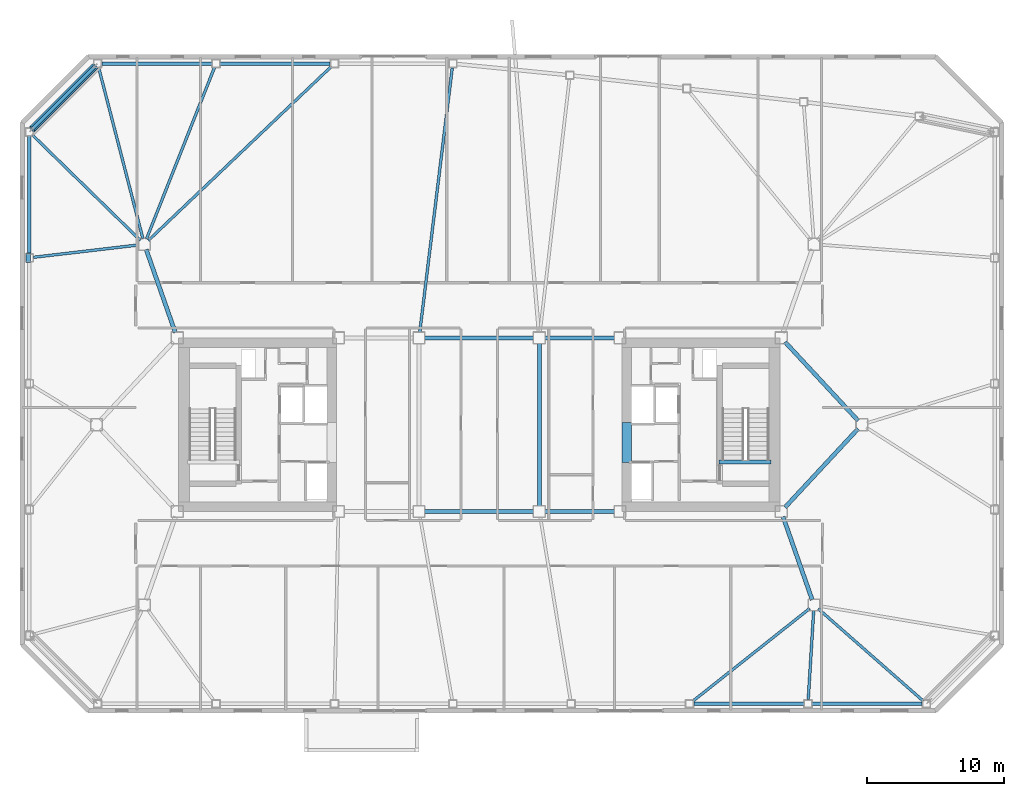
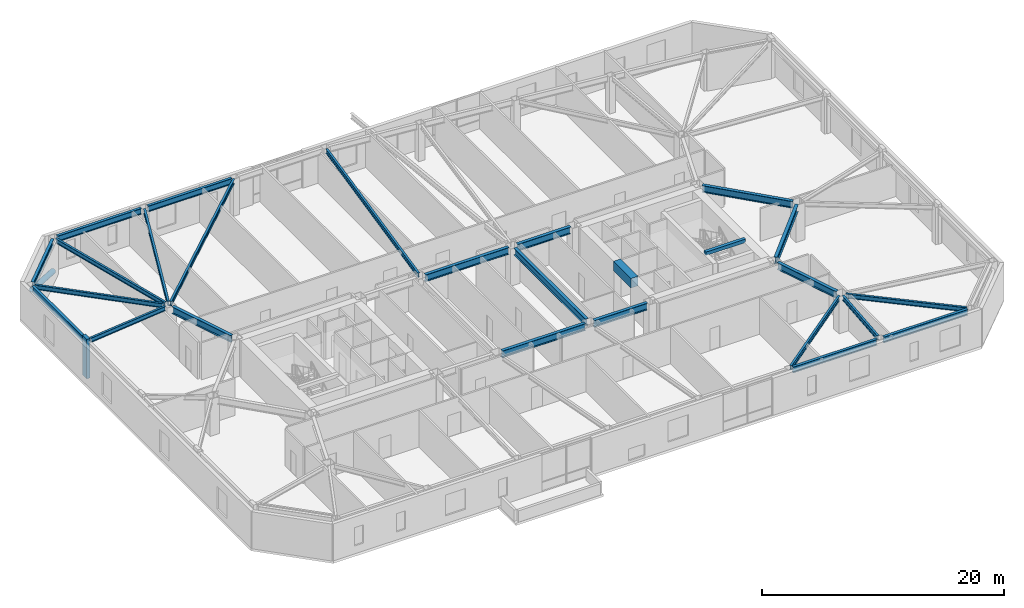
# One storey, part 5 of 18: 26 beams, 2 members.
"""IFC4 building model written with IfcOpenShell, lengths in metres."""

from ifc_helpers import new_model, si_unit, direction, frame, origin, origin_2d, place, context, subcontext, project, spatial, rectangle, hollow_circle, i_section, extrude, material, material_profile, profile_set, type_object, element, save


model = new_model("IFC4")

# Units and contexts
model_context = context("Model", 3, precision=1e-05, world=origin(), true_north=direction((0.0, 1.0)))
body_context = subcontext(model_context, "Body", "Model", "MODEL_VIEW")
ifc_project = project(units=[si_unit("LENGTHUNIT", "METRE"), si_unit("AREAUNIT", "SQUARE_METRE"), si_unit("VOLUMEUNIT", "CUBIC_METRE"), si_unit("PLANEANGLEUNIT", "RADIAN"), si_unit("MASSUNIT", "GRAM", prefix="KILO")], contexts=[model_context])

# Site, building, storey
site_placement = place(None, origin())
site = spatial("IfcSite", under=ifc_project, at=site_placement, CompositionType="ELEMENT")
building_placement = place(site_placement, origin())
building = spatial("IfcBuilding", under=site, at=building_placement, Name="Tavrogorsk Clinical Tower", CompositionType="ELEMENT")
storey_placement = place(building_placement, frame((0.0, 0.0, 168.199951171875)))
storey = spatial("IfcBuildingStorey", under=building, at=storey_placement, Name="L38", CompositionType="ELEMENT", Elevation=168.199951171875)

# Beam
ifc_material_1 = material(Name="Concrete B80", Category="concrete")
ifc_material_profile_1 = material_profile(ifc_material_1, rectangle(XDim=0.699951171875, YDim=0.949951171875, at=origin_2d()), Name="RC-CB-700x950")
ifc_profile_set_1 = profile_set([ifc_material_profile_1], Name="Concrete B80")
beam_type_1 = type_object("IfcBeamType", Name="CouplingBeam_RC700x950", PredefinedType="LINTEL", material=ifc_profile_set_1)
beam_1_placement = place(storey_placement, frame((10.800048828125, -2.75, 3.26513671875), z_axis=(0.0, 1.0, 0.0), x_axis=(-1.0, 0.0, 0.0)))
element("IfcBeam", 1, at=beam_1_placement, inside=storey, type_object=beam_type_1, Name="L38 Core East Coupling Beam", PredefinedType="LINTEL", context=body_context, shape_type="SweptSolid", body=[
    extrude(rectangle(XDim=0.699951171875, YDim=0.949951171875, at=origin_2d()), origin(), (0.0, 0.0, 1.0), 2.89990234375),
])

# Member
ifc_material_2 = material(Name="Structural steel S440", Category="steel")
ifc_material_profile_2 = material_profile(ifc_material_2, hollow_circle(Radius=0.25390625, WallThickness=0.02001953125, at=origin_2d()), Name="CHS-508x20")
ifc_profile_set_2 = profile_set([ifc_material_profile_2], Name="Structural steel S440")
member_type_1 = type_object("IfcMemberType", Name="ExoBrace_CHS508", PredefinedType="BRACE", material=ifc_profile_set_2)
member_1_placement = place(storey_placement, frame((-28.12255859375, 26.217529296875, 0.4130859375), z_axis=(-0.657758524103, -0.657758524103, 0.367025132572), x_axis=(0.707106781187, -0.707106781187, 0.0)))
element("IfcMember", 2, at=member_1_placement, inside=storey, type_object=member_type_1, Name="L38 Corner Exoskeleton Brace N8-W1", PredefinedType="BRACE", context=body_context, shape_type="SweptSolid", body=[
    extrude(hollow_circle(Radius=0.25390625, WallThickness=0.02001953125, at=origin_2d()), origin(), (0.0, 0.0, 1.0), 6.98583984375),
])

# Beams
ifc_material_3 = material(Name="Structural steel S355", Category="steel")
ifc_material_profile_3 = material_profile(ifc_material_3, i_section(OverallWidth=0.199951171875, OverallDepth=0.449951171875, WebThickness=0.011474609375, FlangeThickness=0.01806640625, at=origin_2d()), Name="B-450x200x11.5x18")
ifc_profile_set_3 = profile_set([ifc_material_profile_3], Name="Structural steel S355")
beam_type_2 = type_object("IfcBeamType", Name="FloorBeam_B450", PredefinedType="BEAM", material=ifc_profile_set_3)
beam_2_placement = place(storey_placement, frame((24.1787109375, -13.454833984375, 3.51513671875), z_axis=(-0.783566094727, -0.621308438052, 0.0), x_axis=(0.621308438052, -0.783566094727, 0.0)))
element("IfcBeam", 3, at=beam_2_placement, inside=storey, type_object=beam_type_2, Name="L38 Radial Floor Beam S6", PredefinedType="BEAM", context=body_context, shape_type="SweptSolid", body=[
    extrude(i_section(OverallWidth=0.199951171875, OverallDepth=0.449951171875, WebThickness=0.011474609375, FlangeThickness=0.01806640625, at=origin_2d()), origin(), (0.0, 0.0, 1.0), 10.902587890625),
])
beam_3_placement = place(storey_placement, frame((24.474853515625, -13.609130859375, 3.51513671875), z_axis=(-0.061225862048, -0.998123937102, 0.0), x_axis=(0.998123937102, -0.061225862048, 0.0)))
element("IfcBeam", 4, at=beam_3_placement, inside=storey, type_object=beam_type_2, Name="L38 Radial Floor Beam S7", PredefinedType="BEAM", context=body_context, shape_type="SweptSolid", body=[
    extrude(i_section(OverallWidth=0.199951171875, OverallDepth=0.449951171875, WebThickness=0.011474609375, FlangeThickness=0.01806640625, at=origin_2d()), origin(), (0.0, 0.0, 1.0), 6.515625),
])
beam_4_placement = place(storey_placement, frame((24.80810546875, -13.470458984375, 3.51513671875), z_axis=(0.751316315352, -0.659942265874, 0.0), x_axis=(0.659942265874, 0.751316315352, 0.0)))
element("IfcBeam", 5, at=beam_4_placement, inside=storey, type_object=beam_type_2, Name="L38 Radial Floor Beam S8", PredefinedType="BEAM", context=body_context, shape_type="SweptSolid", body=[
    extrude(i_section(OverallWidth=0.199951171875, OverallDepth=0.449951171875, WebThickness=0.011474609375, FlangeThickness=0.01806640625, at=origin_2d()), origin(), (0.0, 0.0, 1.0), 10.22265625),
])
beam_5_placement = place(storey_placement, frame((-4.349853515625, 6.7568359375, 3.51513671875), z_axis=(0.122074764034, 0.992520907581, 0.0), x_axis=(-0.992520907581, 0.122074764034, 0.0)))
element("IfcBeam", 6, at=beam_5_placement, inside=storey, type_object=beam_type_2, Name="L38 Radial Floor Beam N5", PredefinedType="BEAM", context=body_context, shape_type="SweptSolid", body=[
    extrude(i_section(OverallWidth=0.199951171875, OverallDepth=0.449951171875, WebThickness=0.011474609375, FlangeThickness=0.01806640625, at=origin_2d()), origin(), (0.0, 0.0, 1.0), 19.503173828125),
])
beam_6_placement = place(storey_placement, frame((-24.202880859375, 13.482421875, 3.51513671875), z_axis=(0.724746572965, 0.689015533189, 0.0), x_axis=(-0.689015533189, 0.724746572965, 0.0)))
element("IfcBeam", 7, at=beam_6_placement, inside=storey, type_object=beam_type_2, Name="L38 Radial Floor Beam N6", PredefinedType="BEAM", context=body_context, shape_type="SweptSolid", body=[
    extrude(i_section(OverallWidth=0.199951171875, OverallDepth=0.449951171875, WebThickness=0.011474609375, FlangeThickness=0.01806640625, at=origin_2d()), origin(), (0.0, 0.0, 1.0), 18.468994140625),
])
beam_7_placement = place(storey_placement, frame((-24.348876953125, 13.5810546875, 3.51513671875), z_axis=(0.368655349184, 0.929566153384, 0.0), x_axis=(-0.929566153384, 0.368655349184, 0.0)))
element("IfcBeam", 8, at=beam_7_placement, inside=storey, type_object=beam_type_2, Name="L38 Radial Floor Beam N7", PredefinedType="BEAM", context=body_context, shape_type="SweptSolid", body=[
    extrude(i_section(OverallWidth=0.199951171875, OverallDepth=0.449951171875, WebThickness=0.011474609375, FlangeThickness=0.01806640625, at=origin_2d()), origin(), (0.0, 0.0, 1.0), 13.50390625),
])
beam_8_placement = place(storey_placement, frame((-24.602783203125, 13.596923828125, 3.51513671875), z_axis=(-0.25044015559, 0.96813208214, 0.0), x_axis=(-0.96813208214, -0.25044015559, 0.0)))
element("IfcBeam", 9, at=beam_8_placement, inside=storey, type_object=beam_type_2, Name="L38 Radial Floor Beam N8", PredefinedType="BEAM", context=body_context, shape_type="SweptSolid", body=[
    extrude(i_section(OverallWidth=0.199951171875, OverallDepth=0.449951171875, WebThickness=0.011474609375, FlangeThickness=0.01806640625, at=origin_2d()), origin(), (0.0, 0.0, 1.0), 12.937255859375),
])
beam_9_placement = place(storey_placement, frame((-24.79345703125, 13.486328125, 3.51513671875), z_axis=(-0.715551590144, 0.698559891378, 0.0), x_axis=(-0.698559891378, -0.715551590144, 0.0)))
element("IfcBeam", 10, at=beam_9_placement, inside=storey, type_object=beam_type_2, Name="L38 Radial Floor Beam W1", PredefinedType="BEAM", context=body_context, shape_type="SweptSolid", body=[
    extrude(i_section(OverallWidth=0.199951171875, OverallDepth=0.449951171875, WebThickness=0.011474609375, FlangeThickness=0.01806640625, at=origin_2d()), origin(), (0.0, 0.0, 1.0), 11.049072265625),
])
beam_10_placement = place(storey_placement, frame((-24.9072265625, 13.152099609375, 3.51513671875), z_axis=(-0.993157045518, -0.116786484397, 0.0), x_axis=(0.116786484397, -0.993157045518, 0.0)))
element("IfcBeam", 11, at=beam_10_placement, inside=storey, type_object=beam_type_2, Name="L38 Radial Floor Beam W2", PredefinedType="BEAM", context=body_context, shape_type="SweptSolid", body=[
    extrude(i_section(OverallWidth=0.199951171875, OverallDepth=0.449951171875, WebThickness=0.011474609375, FlangeThickness=0.01806640625, at=origin_2d()), origin(), (0.0, 0.0, 1.0), 7.759765625),
])

# Member
ifc_material_4 = material(Name="Precast concrete B45 with limestone cladding", Category="masonry")
ifc_material_profile_4 = material_profile(ifc_material_4, rectangle(XDim=0.320068359375, YDim=0.719970703125, at=origin_2d()), Name="LIMESTONE-FIN-320x720")
ifc_profile_set_4 = profile_set([ifc_material_profile_4], Name="Precast concrete B45 with limestone cladding")
member_type_2 = type_object("IfcMemberType", Name="LimestonePleatFin_320x720", PredefinedType="USERDEFINED", material=ifc_profile_set_4)
member_2_placement = place(storey_placement, frame((-33.0, 12.2099609375, 0.0), z_axis=(0.0, 0.0, 1.0), x_axis=(1.0, 0.0, 0.0)))
element("IfcMember", 12, at=member_2_placement, inside=storey, type_object=member_type_2, Name="L38 W Pleated Stone Fin 1", ObjectType="FIN", PredefinedType="USERDEFINED", context=body_context, shape_type="SweptSolid", body=[
    extrude(rectangle(XDim=0.320068359375, YDim=0.719970703125, at=origin_2d()), origin(), (0.0, 0.0, 1.0), 4.0),
])

# Beams
ifc_material_5 = material(Name="Structural steel S390", Category="steel")
ifc_material_profile_5 = material_profile(ifc_material_5, i_section(OverallWidth=0.300048828125, OverallDepth=0.699951171875, WebThickness=0.01708984375, FlangeThickness=0.028076171875, at=origin_2d()), Name="B-700x300x17x28")
ifc_profile_set_5 = profile_set([ifc_material_profile_5], Name="Structural steel S390")
beam_type_3 = type_object("IfcBeamType", Name="PrimaryGirder_B700", PredefinedType="USERDEFINED", material=ifc_profile_set_5)
for number, where, z_axis, x_axis, name in (
    (13, (-3.989990234375, -6.35009765625, 3.39013671875), (1.0, 0.0, 0.0), (0.0, 1.0, 0.0), "L38 Primary Spine Girder MG-03"),
    (14, (-3.989990234375, 6.35009765625, 3.39013671875), (1.0, 0.0, 0.0), (0.0, 1.0, 0.0), "L38 Primary Spine Girder MG-04"),
):
    element("IfcBeam", number, at=place(storey_placement, frame(where, z_axis=z_axis, x_axis=x_axis)), inside=storey, type_object=beam_type_3, Name=name, ObjectType="GIRDER", PredefinedType="USERDEFINED", context=body_context, shape_type="SweptSolid", body=[
        extrude(i_section(OverallWidth=0.300048828125, OverallDepth=0.699951171875, WebThickness=0.01708984375, FlangeThickness=0.028076171875, at=origin_2d()), origin(), (0.0, 0.0, 1.0), 7.97998046875),
    ])
for number, where, z_axis, x_axis, name in (
    (15, (4.81005859375, -6.35009765625, 3.39013671875), (1.0, 0.0, 0.0), (0.0, 1.0, 0.0), "L38 Primary Spine Girder MG-05"),
    (16, (4.81005859375, 6.35009765625, 3.39013671875), (1.0, 0.0, 0.0), (0.0, 1.0, 0.0), "L38 Primary Spine Girder MG-06"),
):
    element("IfcBeam", number, at=place(storey_placement, frame(where, z_axis=z_axis, x_axis=x_axis)), inside=storey, type_object=beam_type_3, Name=name, ObjectType="GIRDER", PredefinedType="USERDEFINED", context=body_context, shape_type="SweptSolid", body=[
        extrude(i_section(OverallWidth=0.300048828125, OverallDepth=0.699951171875, WebThickness=0.01708984375, FlangeThickness=0.028076171875, at=origin_2d()), origin(), (0.0, 0.0, 1.0), 5.079833984375),
    ])
beam_11_placement = place(storey_placement, frame((4.39990234375, -5.93994140625, 3.39013671875), z_axis=(0.0, 1.0, 0.0), x_axis=(-1.0, 0.0, 0.0)))
element("IfcBeam", 17, at=beam_11_placement, inside=storey, type_object=beam_type_3, Name="L38 Primary Spine Girder MG-08", ObjectType="GIRDER", PredefinedType="USERDEFINED", context=body_context, shape_type="SweptSolid", body=[
    extrude(i_section(OverallWidth=0.300048828125, OverallDepth=0.699951171875, WebThickness=0.01708984375, FlangeThickness=0.028076171875, at=origin_2d()), origin(), (0.0, 0.0, 1.0), 11.8798828125),
])
for number, where, z_axis, x_axis, name in (
    (18, (24.364501953125, -12.81298828125, 3.39013671875), (-0.330673031392, 0.94374538214, 0.0), (-0.94374538214, -0.330673031392, 0.0), "L38 Spine Link Girder OPG-2"),
    (19, (-24.364501953125, 12.81298828125, 3.39013671875), (0.330673031392, -0.94374538214, 0.0), (0.94374538214, 0.330673031392, 0.0), "L38 Spine Link Girder OPG-3"),
):
    element("IfcBeam", number, at=place(storey_placement, frame(where, z_axis=z_axis, x_axis=x_axis)), inside=storey, type_object=beam_type_3, Name=name, ObjectType="GIRDER", PredefinedType="USERDEFINED", context=body_context, shape_type="SweptSolid", body=[
        extrude(i_section(OverallWidth=0.300048828125, OverallDepth=0.699951171875, WebThickness=0.01708984375, FlangeThickness=0.028076171875, at=origin_2d()), origin(), (0.0, 0.0, 1.0), 6.43798828125),
    ])
for number, where, z_axis, x_axis, name in (
    (20, (27.720947265625, -0.30029296875, 3.39013671875), (-0.680669430215, -0.732590695253, 0.0), (0.732590695253, -0.680669430215, 0.0), "L38 Spine Link Girder OPG-7"),
    (21, (27.720947265625, 0.30029296875, 3.39013671875), (-0.680669430215, 0.732590695253, 0.0), (-0.732590695253, -0.680669430215, 0.0), "L38 Spine Link Girder OPG-8"),
):
    element("IfcBeam", number, at=place(storey_placement, frame(where, z_axis=z_axis, x_axis=x_axis)), inside=storey, type_object=beam_type_3, Name=name, ObjectType="GIRDER", PredefinedType="USERDEFINED", context=body_context, shape_type="SweptSolid", body=[
        extrude(i_section(OverallWidth=0.300048828125, OverallDepth=0.699951171875, WebThickness=0.01708984375, FlangeThickness=0.028076171875, at=origin_2d()), origin(), (0.0, 0.0, 1.0), 7.847900390625),
    ])
ifc_material_6 = material(Name="Structural steel S390", Category="steel")
ifc_material_profile_6 = material_profile(ifc_material_6, i_section(OverallWidth=0.260009765625, OverallDepth=0.60009765625, WebThickness=0.014892578125, FlangeThickness=0.02392578125, at=origin_2d()), Name="B-600x260x15x24")
ifc_profile_set_6 = profile_set([ifc_material_profile_6], Name="Structural steel S390")
beam_type_4 = type_object("IfcBeamType", Name="SpandrelBeam_B600", PredefinedType="SPANDREL", material=ifc_profile_set_6)
beam_12_placement = place(storey_placement, frame((15.702392578125, -20.419921875, 3.43994140625), z_axis=(1.0, 0.0, 0.0), x_axis=(0.0, 1.0, 0.0)))
element("IfcBeam", 22, at=beam_12_placement, inside=storey, type_object=beam_type_4, Name="L38 Perimeter Spandrel S6-S7", PredefinedType="SPANDREL", context=body_context, shape_type="SweptSolid", body=[
    extrude(i_section(OverallWidth=0.260009765625, OverallDepth=0.60009765625, WebThickness=0.014892578125, FlangeThickness=0.02392578125, at=origin_2d()), origin(), (0.0, 0.0, 1.0), 8.046630859375),
])
beam_13_placement = place(storey_placement, frame((24.364990234375, -20.419921875, 3.43994140625), z_axis=(1.0, 0.0, 0.0), x_axis=(0.0, 1.0, 0.0)))
element("IfcBeam", 23, at=beam_13_placement, inside=storey, type_object=beam_type_4, Name="L38 Perimeter Spandrel S7-S8", PredefinedType="SPANDREL", context=body_context, shape_type="SweptSolid", body=[
    extrude(i_section(OverallWidth=0.260009765625, OverallDepth=0.60009765625, WebThickness=0.014892578125, FlangeThickness=0.02392578125, at=origin_2d()), origin(), (0.0, 0.0, 1.0), 8.047119140625),
])
for number, where, z_axis, x_axis, name in (
    (24, (-10.90234375, 26.419921875, 3.43994140625), (-1.0, 0.0, 0.0), (0.0, -1.0, 0.0), "L38 Perimeter Spandrel N6-N7"),
    (25, (-19.565185546875, 26.419921875, 3.43994140625), (-1.0, 0.0, 0.0), (0.0, -1.0, 0.0), "L38 Perimeter Spandrel N7-N8"),
):
    element("IfcBeam", number, at=place(storey_placement, frame(where, z_axis=z_axis, x_axis=x_axis)), inside=storey, type_object=beam_type_4, Name=name, PredefinedType="SPANDREL", context=body_context, shape_type="SweptSolid", body=[
        extrude(i_section(OverallWidth=0.260009765625, OverallDepth=0.60009765625, WebThickness=0.014892578125, FlangeThickness=0.02392578125, at=origin_2d()), origin(), (0.0, 0.0, 1.0), 8.046875),
    ])
beam_14_placement = place(storey_placement, frame((-28.1376953125, 26.2021484375, 3.43994140625), z_axis=(-0.707106781187, -0.707106781187, 0.0), x_axis=(0.707106781187, -0.707106781187, 0.0)))
element("IfcBeam", 26, at=beam_14_placement, inside=storey, type_object=beam_type_4, Name="L38 Perimeter Spandrel N8-W1", PredefinedType="SPANDREL", context=body_context, shape_type="SweptSolid", body=[
    extrude(i_section(OverallWidth=0.260009765625, OverallDepth=0.60009765625, WebThickness=0.014892578125, FlangeThickness=0.02392578125, at=origin_2d()), origin(), (0.0, 0.0, 1.0), 6.455078125),
])
beam_15_placement = place(storey_placement, frame((-32.919921875, 21.112060546875, 3.43994140625), z_axis=(0.0, -1.0, 0.0), x_axis=(1.0, 0.0, 0.0)))
element("IfcBeam", 27, at=beam_15_placement, inside=storey, type_object=beam_type_4, Name="L38 Perimeter Spandrel W1-W2", PredefinedType="SPANDREL", context=body_context, shape_type="SweptSolid", body=[
    extrude(i_section(OverallWidth=0.260009765625, OverallDepth=0.60009765625, WebThickness=0.014892578125, FlangeThickness=0.02392578125, at=origin_2d()), origin(), (0.0, 0.0, 1.0), 8.593994140625),
])
ifc_material_7 = material(Name="Concrete B60", Category="concrete")
ifc_material_profile_7 = material_profile(ifc_material_7, rectangle(XDim=0.300048828125, YDim=0.35009765625, at=origin_2d()), Name="RC-SHB-300x350")
ifc_profile_set_7 = profile_set([ifc_material_profile_7], Name="Concrete B60")
beam_type_5 = type_object("IfcBeamType", Name="StairHeaderBeam_RC300x350", PredefinedType="BEAM", material=ifc_profile_set_7)
beam_16_placement = place(storey_placement, frame((17.550048828125, -2.719970703125, 3.824951171875), z_axis=(1.0, 0.0, 0.0), x_axis=(0.0, 1.0, 0.0)))
element("IfcBeam", 28, at=beam_16_placement, inside=storey, type_object=beam_type_5, Name="L39 ST-E Landing Header Beam", PredefinedType="BEAM", context=body_context, shape_type="SweptSolid", body=[
    extrude(rectangle(XDim=0.300048828125, YDim=0.35009765625, at=origin_2d()), origin(), (0.0, 0.0, 1.0), 3.800048828125),
])

save(model, "model.ifc")
